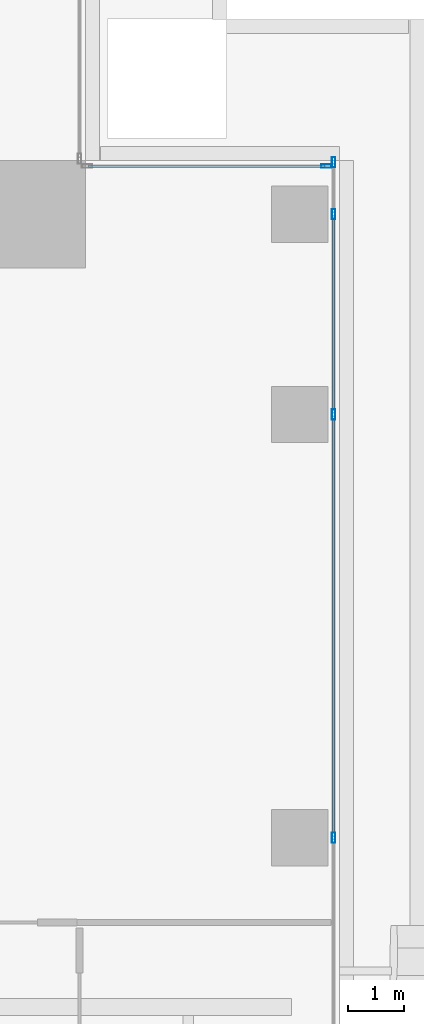
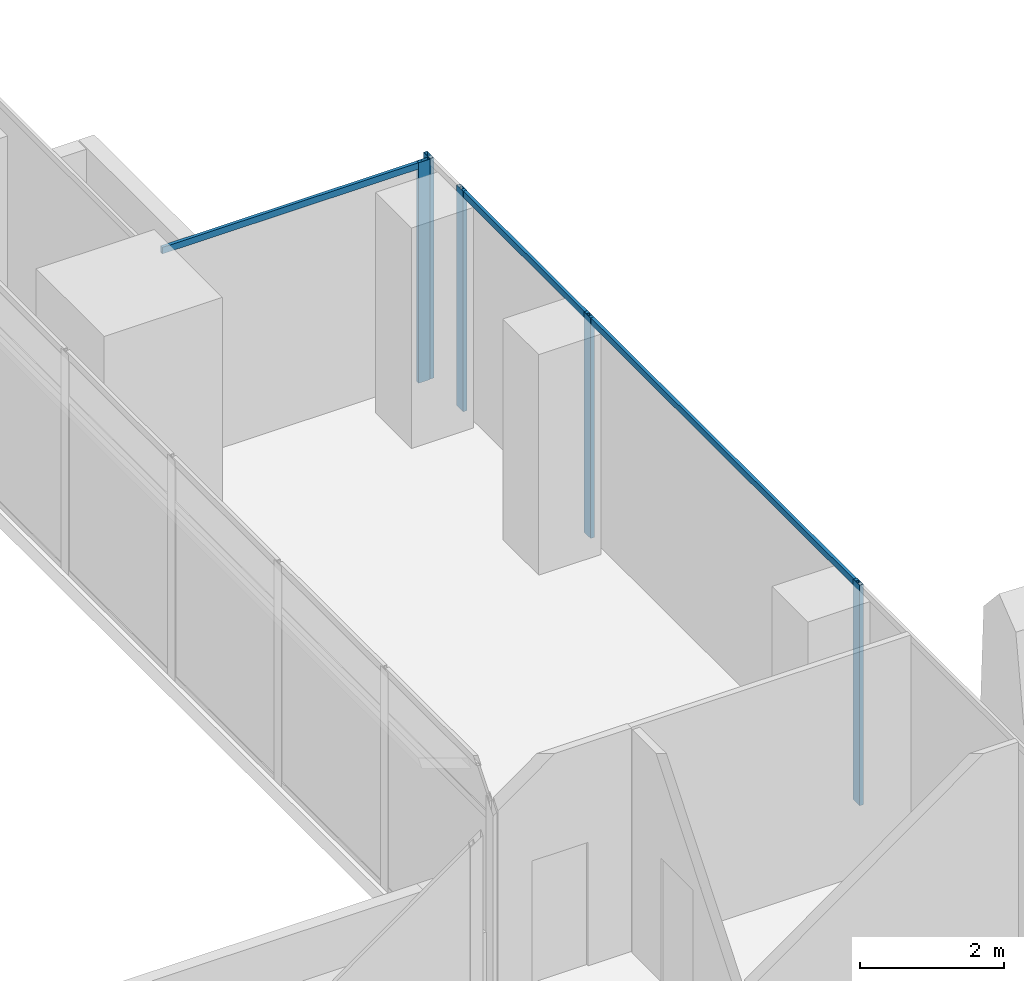
# One storey, part 25 of 43: 8 members, 2 elements without a shape of their own.
"""IFC4 building model written with IfcOpenShell, lengths in metres."""

from ifc_helpers import new_model, si_unit, direction, frame, origin, origin_2d, place, context, subcontext, project, spatial, hollow_rectangle, extrude, source, transform, mapped, material, material_profile, profile_set, type_object, element, aggregate, save


model = new_model("IFC4")

# Units and contexts
model_context = context("Model", 3, precision=1e-05, world=origin(), true_north=direction((0.0, 1.0)))
body_context = subcontext(model_context, "Body", "Model", "MODEL_VIEW")
ifc_project = project(units=[si_unit("LENGTHUNIT", "METRE"), si_unit("AREAUNIT", "SQUARE_METRE"), si_unit("VOLUMEUNIT", "CUBIC_METRE"), si_unit("PLANEANGLEUNIT", "RADIAN"), si_unit("MASSUNIT", "GRAM", prefix="KILO")], contexts=[model_context])

# Site, building, storey
site_placement = place(None, origin())
site = spatial("IfcSite", under=ifc_project, at=site_placement, CompositionType="ELEMENT")
building_placement = place(site_placement, origin())
building = spatial("IfcBuilding", under=site, at=building_placement, Name="Khomas Fold Tower", CompositionType="ELEMENT")
storey_placement = place(building_placement, frame((0.0, 0.0, 164.699951171875)))
storey = spatial("IfcBuildingStorey", under=building, at=storey_placement, Name="L35", CompositionType="ELEMENT", Elevation=164.699951171875)

# Curtain wall, members
ifc_material_1 = material(Name="Aluminium framed double glazing", Category="aluminium")
curtain_wall_type = type_object("IfcCurtainWallType", Name="SK-Unitised clear-glass wall, office floors CW2", PredefinedType="NOTDEFINED", material=ifc_material_1)
curtain_wall_1_placement = place(storey_placement, origin())
curtain_wall_1 = element("IfcCurtainWall", 1, at=curtain_wall_1_placement, inside=storey, type_object=curtain_wall_type, Name="CW2 run L35 08-1", PredefinedType="NOTDEFINED")
ifc_material_2 = material(Name="Aluminium", Category="aluminium")
ifc_material_profile_1 = material_profile(ifc_material_2, hollow_rectangle(XDim=0.06005859375, YDim=0.179931640625, WallThickness=0.00390625, at=origin_2d()), Name="SK-Unitised clear-glass wall, office floors mullion CW2-M")
ifc_profile_set_1 = profile_set([ifc_material_profile_1], Name="Aluminium")
member_type_1 = type_object("IfcMemberType", Name="SK-Unitised clear-glass wall, office floors mullion CW2-M", PredefinedType="MULLION", material=ifc_profile_set_1)
shared_shape_1 = source(origin(), body_context, "Body", "SweptSolid", [
    extrude(hollow_rectangle(XDim=0.06005859375, YDim=0.179931640625, WallThickness=0.00390625, at=origin_2d()), origin(), (0.0, 0.0, 1.0), 3.75),
])
member_1_placement = place(storey_placement, frame((50.89990234375, 34.5, 0.0), z_axis=(0.0, 0.0, 1.0), x_axis=(-1.0, 0.0, 0.0)))
member_1 = element("IfcMember", 2, at=member_1_placement, type_object=member_type_1, Name="CW2 mullion 3", PredefinedType="MULLION", context=body_context, shape_type="MappedRepresentation", body=[
    mapped(shared_shape_1, transform((0.0, 0.0, 0.0))),
])
member_2_placement = place(storey_placement, frame((50.89990234375, 42.0, 0.0), z_axis=(0.0, 0.0, 1.0), x_axis=(-1.0, 0.0, 0.0)))
member_2 = element("IfcMember", 3, at=member_2_placement, type_object=member_type_1, Name="CW2 mullion 4", PredefinedType="MULLION", context=body_context, shape_type="MappedRepresentation", body=[
    mapped(shared_shape_1, transform((0.0, 0.0, 0.0))),
])
member_3_placement = place(storey_placement, frame((50.89990234375, 45.550048828125, 0.0), z_axis=(0.0, 0.0, 1.0), x_axis=(-1.0, 0.0, 0.0)))
member_3 = element("IfcMember", 4, at=member_3_placement, type_object=member_type_1, Name="CW2 mullion 5", PredefinedType="MULLION", context=body_context, shape_type="MappedRepresentation", body=[
    mapped(shared_shape_1, transform((0.0, 0.0, 0.0))),
])
member_4_placement = place(storey_placement, frame((50.89990234375, 46.469970703125, 0.0), z_axis=(0.0, 0.0, 1.0), x_axis=(-1.0, 0.0, 0.0)))
member_4 = element("IfcMember", 5, at=member_4_placement, type_object=member_type_1, Name="CW2 mullion 6", PredefinedType="MULLION", context=body_context, shape_type="MappedRepresentation", body=[
    mapped(shared_shape_1, transform((0.0, 0.0, 0.0))),
])

# Curtain wall, member
curtain_wall_2_placement = place(storey_placement, origin())
curtain_wall_2 = element("IfcCurtainWall", 6, at=curtain_wall_2_placement, inside=storey, type_object=curtain_wall_type, Name="CW2 corner return L35 09", PredefinedType="NOTDEFINED")
member_5_placement = place(storey_placement, frame((50.77001953125, 46.39990234375, 0.0), z_axis=(0.0, 0.0, 1.0), x_axis=(0.0, -1.0, 0.0)))
member_5 = element("IfcMember", 7, at=member_5_placement, type_object=member_type_1, Name="CW2 mullion 1", PredefinedType="MULLION", context=body_context, shape_type="MappedRepresentation", body=[
    mapped(shared_shape_1, transform((0.0, 0.0, 0.0))),
])

# Member
ifc_material_3 = material(Name="Aluminium", Category="aluminium")
ifc_material_profile_2 = material_profile(ifc_material_3, hollow_rectangle(XDim=0.050048828125, YDim=0.110107421875, WallThickness=0.00390625, at=origin_2d()), Name="SK-Unitised clear-glass wall, office floors transom CW2-T")
ifc_profile_set_2 = profile_set([ifc_material_profile_2], Name="Aluminium")
member_type_2 = type_object("IfcMemberType", Name="SK-Unitised clear-glass wall, office floors transom CW2-T", PredefinedType="USERDEFINED", material=ifc_profile_set_2)
shared_shape_2 = source(origin(), body_context, "Body", "SweptSolid", [
    extrude(hollow_rectangle(XDim=0.050048828125, YDim=0.110107421875, WallThickness=0.00390625, at=origin_2d()), origin(), (0.0, 0.0, 1.0), 3.489990234375),
])
member_6_placement = place(storey_placement, frame((50.89990234375, 42.030029296875, 3.695068359375), z_axis=(0.0, 1.0, 0.0), x_axis=(-1.0, 0.0, 0.0)))
member_6 = element("IfcMember", 8, at=member_6_placement, type_object=member_type_2, Name="CW2 transom 4", ObjectType="TRANSOM", PredefinedType="USERDEFINED", context=body_context, shape_type="MappedRepresentation", body=[
    mapped(shared_shape_2, transform((0.0, 0.0, 0.0))),
])

shared_shape_3 = source(origin(), body_context, "Body", "SweptSolid", [
    extrude(hollow_rectangle(XDim=0.050048828125, YDim=0.110107421875, WallThickness=0.00390625, at=origin_2d()), origin(), (0.0, 0.0, 1.0), 7.43994140625),
])
member_7_placement = place(storey_placement, frame((50.89990234375, 34.530029296875, 3.695068359375), z_axis=(0.0, 1.0, 0.0), x_axis=(-1.0, 0.0, 0.0)))
member_7 = element("IfcMember", 9, at=member_7_placement, type_object=member_type_2, Name="CW2 transom 3", ObjectType="TRANSOM", PredefinedType="USERDEFINED", context=body_context, shape_type="MappedRepresentation", body=[
    mapped(shared_shape_3, transform((0.0, 0.0, 0.0))),
])

aggregate(curtain_wall_1, [member_1, member_2, member_3, member_4, member_7, member_6])

shared_shape_4 = source(origin(), body_context, "Body", "SweptSolid", [
    extrude(hollow_rectangle(XDim=0.050048828125, YDim=0.110107421875, WallThickness=0.00390625, at=origin_2d()), origin(), (0.0, 0.0, 1.0), 4.179931640625),
])
member_8_placement = place(storey_placement, frame((50.739990234375, 46.39990234375, 3.695068359375), z_axis=(-1.0, 0.0, 0.0), x_axis=(0.0, -1.0, 0.0)))
member_8 = element("IfcMember", 10, at=member_8_placement, type_object=member_type_2, Name="CW2 transom 1", ObjectType="TRANSOM", PredefinedType="USERDEFINED", context=body_context, shape_type="MappedRepresentation", body=[
    mapped(shared_shape_4, transform((0.0, 0.0, 0.0))),
])

aggregate(curtain_wall_2, [member_5, member_8])

save(model, "model.ifc")
